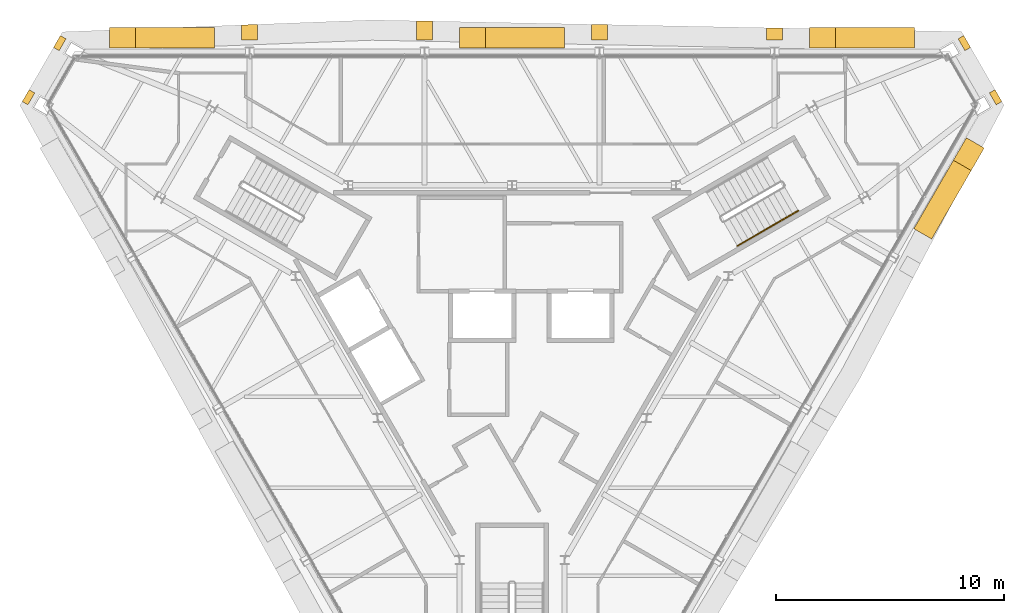
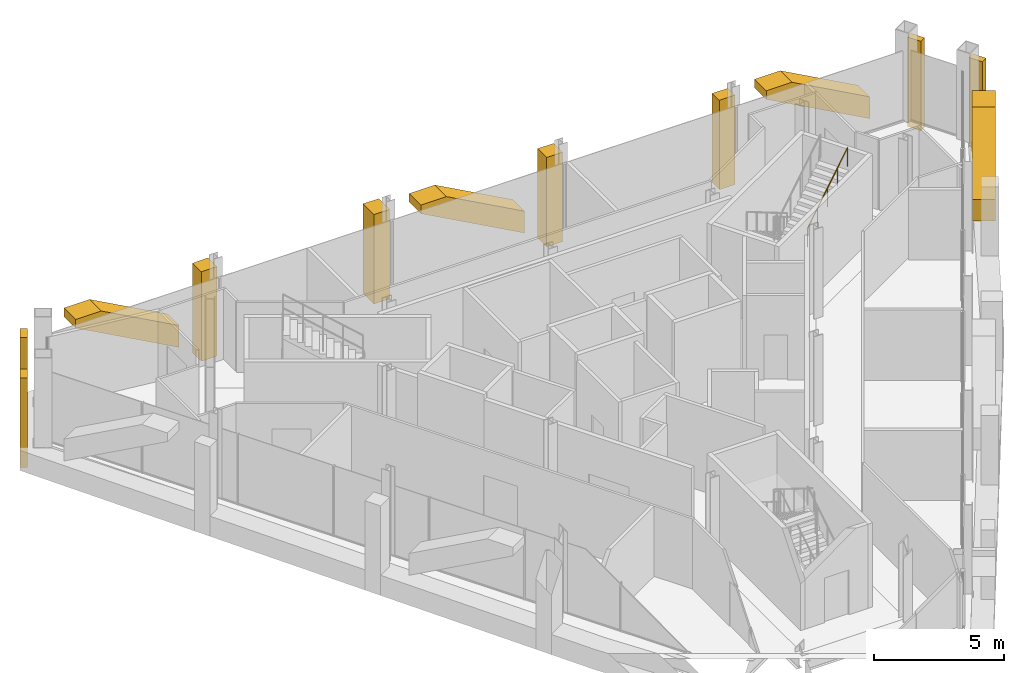
# One storey, part 13 of 13: 12 coverings, 1 railing.
"""IFC4 building model written with IfcOpenShell, lengths in metres."""

from ifc_helpers import new_model, si_unit, direction, frame, origin, origin_2d, place, context, subcontext, project, spatial, polyline, circle, outline, extrude, material, layer, layer_set, type_object, element, save


model = new_model("IFC4")

# Units and contexts
model_context = context("Model", 3, precision=1e-05, world=origin(), true_north=direction((0.0, 1.0)))
body_context = subcontext(model_context, "Body", "Model", "MODEL_VIEW")
ifc_project = project(units=[si_unit("LENGTHUNIT", "METRE"), si_unit("AREAUNIT", "SQUARE_METRE"), si_unit("VOLUMEUNIT", "CUBIC_METRE"), si_unit("PLANEANGLEUNIT", "RADIAN"), si_unit("MASSUNIT", "GRAM", prefix="KILO")], contexts=[model_context])

# Site, building, storey
site_placement = place(None, origin())
site = spatial("IfcSite", under=ifc_project, at=site_placement, CompositionType="ELEMENT")
building_placement = place(site_placement, origin())
building = spatial("IfcBuilding", under=site, at=building_placement, Name="Verrane Prism Tower", CompositionType="ELEMENT")
storey_placement = place(building_placement, frame((0.0, 0.0, 321.0)))
storey = spatial("IfcBuildingStorey", under=building, at=storey_placement, Name="L81", CompositionType="ELEMENT", Elevation=321.0)

# Railing
ifc_material_1 = material(Name="Steel A36 tube", Category="steel")
railing_type = type_object("IfcRailingType", Name="Stair handrail 900 steel tube", PredefinedType="HANDRAIL", material=ifc_material_1)
railing_placement = place(storey_placement, frame((9.872314453125, 4.140869140625, 2.27490234375)))
element("IfcRailing", 1, at=railing_placement, inside=storey, type_object=railing_type, Name="Stair 1 handrail", PredefinedType="HANDRAIL", context=body_context, shape_type="SweptSolid", body=[
    extrude(circle(Radius=0.02392578125, at=origin_2d()), frame((0.0, 0.0, 0.8759765625), z_axis=(0.734364028329, 0.424015404183, 0.530019255228), x_axis=(-0.500026652407, 0.866010015463, 0.0)), (0.0, 0.0, 1.0), 3.632080078125),
    extrude(circle(Radius=0.02099609375, at=origin_2d()), origin(), (0.0, 0.0, 1.0), 0.851806640625),
    extrude(circle(Radius=0.02099609375, at=origin_2d()), frame((0.666748046875, 0.385009765625, 0.481201171875)), (0.0, 0.0, 1.0), 0.851806640625),
    extrude(circle(Radius=0.02099609375, at=origin_2d()), frame((1.33349609375, 0.77001953125, 0.96240234375)), (0.0, 0.0, 1.0), 0.851806640625),
    extrude(circle(Radius=0.02099609375, at=origin_2d()), frame((2.00048828125, 1.155029296875, 1.44384765625)), (0.0, 0.0, 1.0), 0.851806640625),
    extrude(circle(Radius=0.02099609375, at=origin_2d()), frame((2.667236328125, 1.5400390625, 1.925048828125)), (0.0, 0.0, 1.0), 0.851806640625),
])

# Coverings
ifc_material_2 = material(Name="Warm limestone cladding", Category="masonry")
ifc_layer = layer(ifc_material_2, 0.89990234375)
ifc_layer_set = layer_set([ifc_layer], Name="Stone brace fin 900")
covering_type_1 = type_object("IfcCoveringType", Name="Stone brace fin 900", PredefinedType="CLADDING", material=ifc_layer_set)
for number, where, z_axis, x_axis, name in (
    (2, (17.638671875, 13.25, 0.326904296875), (0.0, 0.0, 1.0), (-1.0, 0.0, 0.0), "Stone brace fin N1 L81"),
    (3, (2.30078125, 13.25, 0.326904296875), (0.0, 0.0, 1.0), (-1.0, 0.0, 0.0), "Stone brace fin N3 L81"),
    (4, (-13.037109375, 13.25, 0.326904296875), (0.0, 0.0, 1.0), (-1.0, 0.0, 0.0), "Stone brace fin N5 L81"),
    (5, (17.993408203125, 4.66552734375, 0.326904296875), (0.0, 0.0, 1.0), (0.5000194552, 0.866014171028, 0.0), "Stone brace fin SE5 L81"),
):
    element("IfcCovering", number, at=place(storey_placement, frame(where, z_axis=z_axis, x_axis=x_axis)), inside=storey, type_object=covering_type_1, Name=name, PredefinedType="CLADDING", context=body_context, shape_type="SweptSolid", body=[
        extrude(outline(polyline([(4.601318359375, 2.923095703125), (3.463623046875, 2.923095703125), (0.0, 1.026123046875), (0.0, 0.0), (4.601318359375, 2.52001953125), (4.601318359375, 2.923095703125)])), frame((0.0, 0.449951171875, 0.0), z_axis=(0.0, -1.0, 0.0), x_axis=(1.0, 0.0, 0.0)), (0.0, 0.0, 1.0), 0.89990234375),
    ])
ifc_material_3 = material(Name="Warm limestone cladding", Category="masonry")
covering_type_2 = type_object("IfcCoveringType", Name="Stone corner pier 600", PredefinedType="CLADDING", material=ifc_material_3)
covering_1_placement = place(storey_placement, frame((0.0, 0.0, -0.949951171875)))
element("IfcCovering", 6, at=covering_1_placement, inside=storey, type_object=covering_type_2, Name="Stone pier MC-NE.a L81", PredefinedType="CLADDING", context=body_context, shape_type="SweptSolid", body=[
    extrude(outline(polyline([(20.910888671875, 10.838623046875), (21.06103515625, 10.578857421875), (21.2109375, 10.319091796875), (21.457763671875, 10.46142578125), (21.15771484375, 10.98095703125), (20.910888671875, 10.838623046875)])), origin(), (0.0, 0.0, 1.0), 4.199951171875),
])
covering_2_placement = place(storey_placement, frame((0.0, 0.0, -0.949951171875)))
element("IfcCovering", 7, at=covering_2_placement, inside=storey, type_object=covering_type_2, Name="Stone pier MC-NE.b L81", PredefinedType="CLADDING", context=body_context, shape_type="SweptSolid", body=[
    extrude(outline(polyline([(19.5419921875, 13.209716796875), (19.5576171875, 13.182861328125), (19.842041015625, 12.690185546875), (20.088623046875, 12.83251953125), (19.788818359375, 13.352294921875), (19.5419921875, 13.209716796875)])), origin(), (0.0, 0.0, 1.0), 4.199951171875),
])
covering_3_placement = place(storey_placement, frame((0.0, 0.0, -0.949951171875)))
element("IfcCovering", 8, at=covering_3_placement, inside=storey, type_object=covering_type_2, Name="Stone pier MC-NW.a L81", PredefinedType="CLADDING", context=body_context, shape_type="SweptSolid", body=[
    extrude(outline(polyline([(-19.842041015625, 12.690185546875), (-19.5419921875, 13.209716796875), (-19.788818359375, 13.352294921875), (-20.088623046875, 12.83251953125), (-19.842041015625, 12.690185546875)])), origin(), (0.0, 0.0, 1.0), 4.199951171875),
])
covering_4_placement = place(storey_placement, frame((0.0, 0.0, -0.949951171875)))
element("IfcCovering", 9, at=covering_4_placement, inside=storey, type_object=covering_type_2, Name="Stone pier MC-NW.b L81", PredefinedType="CLADDING", context=body_context, shape_type="SweptSolid", body=[
    extrude(outline(polyline([(-21.2109375, 10.319091796875), (-20.910888671875, 10.838623046875), (-21.15771484375, 10.98095703125), (-21.457763671875, 10.46142578125), (-21.2109375, 10.319091796875)])), origin(), (0.0, 0.0, 1.0), 4.199951171875),
])
ifc_material_4 = material(Name="Warm limestone cladding", Category="masonry")
covering_type_3 = type_object("IfcCoveringType", Name="Stone pier 700", PredefinedType="CLADDING", material=ifc_material_4)
covering_5_placement = place(storey_placement, frame((0.0, 0.0, -0.949951171875)))
element("IfcCovering", 10, at=covering_5_placement, inside=storey, type_object=covering_type_3, Name="Stone pier PC-N1 L81", PredefinedType="CLADDING", context=body_context, shape_type="SweptSolid", body=[
    extrude(outline(polyline([(11.1533203125, 13.14990234375), (11.853515625, 13.14990234375), (11.853515625, 13.6796875), (11.1533203125, 13.693359375), (11.1533203125, 13.14990234375)])), origin(), (0.0, 0.0, 1.0), 4.199951171875),
])
covering_6_placement = place(storey_placement, frame((0.0, 0.0, -0.949951171875)))
element("IfcCovering", 11, at=covering_6_placement, inside=storey, type_object=covering_type_3, Name="Stone pier PC-N2 L81", PredefinedType="CLADDING", context=body_context, shape_type="SweptSolid", body=[
    extrude(outline(polyline([(3.484619140625, 13.14990234375), (4.1845703125, 13.14990234375), (4.1845703125, 13.8310546875), (3.484619140625, 13.844970703125), (3.484619140625, 13.14990234375)])), origin(), (0.0, 0.0, 1.0), 4.199951171875),
])
covering_7_placement = place(storey_placement, frame((0.0, 0.0, -0.949951171875)))
element("IfcCovering", 12, at=covering_7_placement, inside=storey, type_object=covering_type_3, Name="Stone pier PC-N3 L81", PredefinedType="CLADDING", context=body_context, shape_type="SweptSolid", body=[
    extrude(outline(polyline([(-4.1845703125, 13.14990234375), (-3.484619140625, 13.14990234375), (-3.484619140625, 13.982666015625), (-4.1845703125, 13.996337890625), (-4.1845703125, 13.14990234375)])), origin(), (0.0, 0.0, 1.0), 4.199951171875),
])
covering_8_placement = place(storey_placement, frame((0.0, 0.0, -0.949951171875)))
element("IfcCovering", 13, at=covering_8_placement, inside=storey, type_object=covering_type_3, Name="Stone pier PC-N4 L81", PredefinedType="CLADDING", context=body_context, shape_type="SweptSolid", body=[
    extrude(outline(polyline([(-11.853515625, 13.14990234375), (-11.1533203125, 13.14990234375), (-11.1533203125, 13.843017578125), (-11.853515625, 13.816162109375), (-11.853515625, 13.14990234375)])), origin(), (0.0, 0.0, 1.0), 4.199951171875),
])

save(model, "model.ifc")
